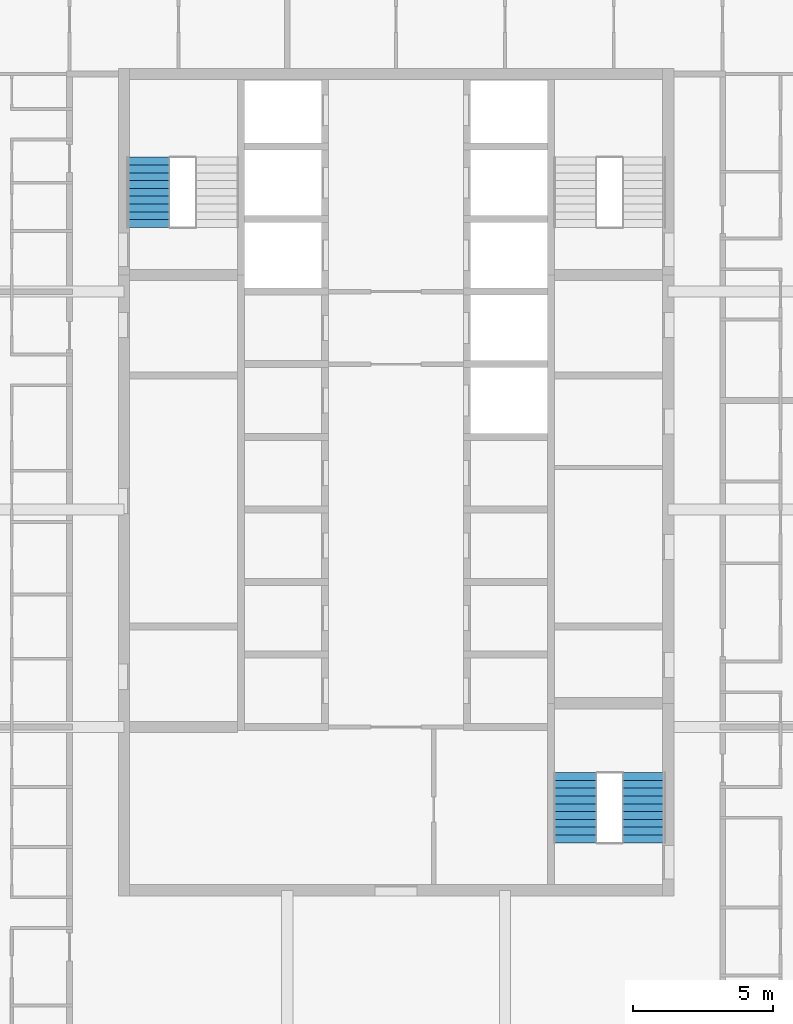
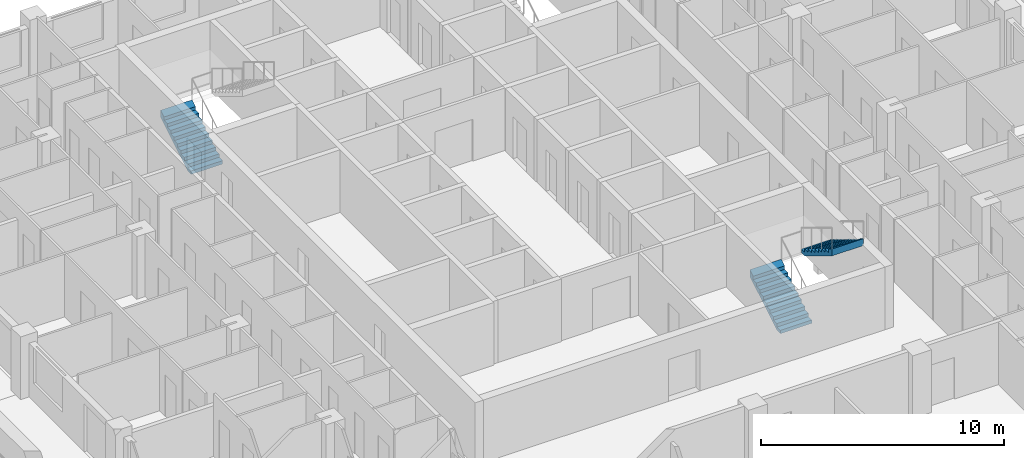
# One storey, part 13 of 16: 3 stair flights, 2 elements without a shape of their own.
"""IFC4 building model written with IfcOpenShell, lengths in metres."""

from ifc_helpers import new_model, si_unit, direction, frame, origin, place, context, subcontext, project, spatial, triangles, material, type_object, element, aggregate, save


model = new_model("IFC4")

# Units and contexts
model_context = context("Model", 3, precision=1e-05, world=origin(), true_north=direction((0.0, 1.0)))
body_context = subcontext(model_context, "Body", "Model", "MODEL_VIEW")
ifc_project = project(units=[si_unit("LENGTHUNIT", "METRE"), si_unit("AREAUNIT", "SQUARE_METRE"), si_unit("VOLUMEUNIT", "CUBIC_METRE"), si_unit("PLANEANGLEUNIT", "RADIAN"), si_unit("MASSUNIT", "GRAM", prefix="KILO")], contexts=[model_context])

# Site, building, storey
site_placement = place(None, origin())
site = spatial("IfcSite", under=ifc_project, at=site_placement, CompositionType="ELEMENT")
building_placement = place(site_placement, origin())
building = spatial("IfcBuilding", under=site, at=building_placement, Name="Ludao Terraces", CompositionType="ELEMENT")
storey_placement = place(building_placement, frame((0.0, 0.0, 207.5)))
storey = spatial("IfcBuildingStorey", under=building, at=storey_placement, Name="L56", CompositionType="ELEMENT", Elevation=207.5)

# Stair, stair flight
ifc_material = material(Name="Concrete C40", Category="concrete")
stair_type = type_object("IfcStairType", Name="INT Stair", PredefinedType="HALF_TURN_STAIR", material=ifc_material)
stair_1_placement = place(storey_placement, origin())
stair_1 = element("IfcStair", 1, at=stair_1_placement, inside=storey, type_object=stair_type, Name="EXIT STAIR 1", PredefinedType="HALF_TURN_STAIR")
stair_flight_type = type_object("IfcStairFlightType", Name="INT Stair flight", PredefinedType="STRAIGHT", material=ifc_material)
stair_flight_1_placement = place(storey_placement, frame((76.125, 79.0, 0.0), z_axis=(0.0, 0.0, 1.0), x_axis=(0.0, 1.0, 0.0)))
stair_flight_1 = element("IfcStairFlight", 2, at=stair_flight_1_placement, type_object=stair_flight_type, Name="ST1 flight 1", NumberOfRisers=10, NumberOfTreads=9, PredefinedType="STRAIGHT", RiserHeight=0.17, TreadLength=0.28, context=body_context, shape_type="Tessellation", body=[
    triangles([(0.0, -0.75, 0.0), (0.0, -0.5, 0.0), (0.0, -0.25, 0.0), (0.0, 0.0, 0.0), (0.0, 0.25, 0.0), (0.0, 0.5, 0.0), (0.0, 0.75, 0.0), (0.0, -0.75, 0.169921875), (0.0, -0.5, 0.169921875), (0.0, -0.25, 0.169921875), (0.0, 0.0, 0.169921875), (0.0, 0.25, 0.169921875), (0.0, 0.5, 0.169921875), (0.0, 0.75, 0.169921875), (0.280029296875, -0.75, 0.169921875), (0.280029296875, -0.5, 0.169921875), (0.280029296875, -0.25, 0.169921875), (0.280029296875, 0.0, 0.169921875), (0.280029296875, 0.25, 0.169921875), (0.280029296875, 0.5, 0.169921875), (0.280029296875, 0.75, 0.169921875), (0.280029296875, -0.75, 0.340087890625), (0.280029296875, -0.5, 0.340087890625), (0.280029296875, -0.25, 0.340087890625), (0.280029296875, 0.0, 0.340087890625), (0.280029296875, 0.25, 0.340087890625), (0.280029296875, 0.5, 0.340087890625), (0.280029296875, 0.75, 0.340087890625), (0.56005859375, -0.75, 0.340087890625), (0.56005859375, -0.5, 0.340087890625), (0.56005859375, -0.25, 0.340087890625), (0.56005859375, 0.0, 0.340087890625), (0.56005859375, 0.25, 0.340087890625), (0.56005859375, 0.5, 0.340087890625), (0.56005859375, 0.75, 0.340087890625), (0.56005859375, -0.75, 0.510009765625), (0.56005859375, -0.5, 0.510009765625), (0.56005859375, -0.25, 0.510009765625), (0.56005859375, 0.0, 0.510009765625), (0.56005859375, 0.25, 0.510009765625), (0.56005859375, 0.5, 0.510009765625), (0.56005859375, 0.75, 0.510009765625), (0.840087890625, -0.75, 0.510009765625), (0.840087890625, -0.5, 0.510009765625), (0.840087890625, -0.25, 0.510009765625), (0.840087890625, 0.0, 0.510009765625), (0.840087890625, 0.25, 0.510009765625), (0.840087890625, 0.5, 0.510009765625), (0.840087890625, 0.75, 0.510009765625), (0.840087890625, -0.75, 0.679931640625), (0.840087890625, -0.5, 0.679931640625), (0.840087890625, -0.25, 0.679931640625), (0.840087890625, 0.0, 0.679931640625), (0.840087890625, 0.25, 0.679931640625), (0.840087890625, 0.5, 0.679931640625), (0.840087890625, 0.75, 0.679931640625), (1.1201171875, -0.75, 0.679931640625), (1.1201171875, -0.5, 0.679931640625), (1.1201171875, -0.25, 0.679931640625), (1.1201171875, 0.0, 0.679931640625), (1.1201171875, 0.25, 0.679931640625), (1.1201171875, 0.5, 0.679931640625), (1.1201171875, 0.75, 0.679931640625), (1.1201171875, -0.75, 0.85009765625), (1.1201171875, -0.5, 0.85009765625), (1.1201171875, -0.25, 0.85009765625), (1.1201171875, 0.0, 0.85009765625), (1.1201171875, 0.25, 0.85009765625), (1.1201171875, 0.5, 0.85009765625), (1.1201171875, 0.75, 0.85009765625), (1.39990234375, -0.75, 0.85009765625), (1.39990234375, -0.5, 0.85009765625), (1.39990234375, -0.25, 0.85009765625), (1.39990234375, 0.0, 0.85009765625), (1.39990234375, 0.25, 0.85009765625), (1.39990234375, 0.5, 0.85009765625), (1.39990234375, 0.75, 0.85009765625), (1.39990234375, -0.75, 1.02001953125), (1.39990234375, -0.5, 1.02001953125), (1.39990234375, -0.25, 1.02001953125), (1.39990234375, 0.0, 1.02001953125), (1.39990234375, 0.25, 1.02001953125), (1.39990234375, 0.5, 1.02001953125), (1.39990234375, 0.75, 1.02001953125), (1.679931640625, -0.75, 1.02001953125), (1.679931640625, -0.5, 1.02001953125), (1.679931640625, -0.25, 1.02001953125), (1.679931640625, 0.0, 1.02001953125), (1.679931640625, 0.25, 1.02001953125), (1.679931640625, 0.5, 1.02001953125), (1.679931640625, 0.75, 1.02001953125), (1.679931640625, -0.75, 1.18994140625), (1.679931640625, -0.5, 1.18994140625), (1.679931640625, -0.25, 1.18994140625), (1.679931640625, 0.0, 1.18994140625), (1.679931640625, 0.25, 1.18994140625), (1.679931640625, 0.5, 1.18994140625), (1.679931640625, 0.75, 1.18994140625), (1.9599609375, -0.75, 1.18994140625), (1.9599609375, -0.5, 1.18994140625), (1.9599609375, -0.25, 1.18994140625), (1.9599609375, 0.0, 1.18994140625), (1.9599609375, 0.25, 1.18994140625), (1.9599609375, 0.5, 1.18994140625), (1.9599609375, 0.75, 1.18994140625), (1.9599609375, -0.75, 1.360107421875), (1.9599609375, -0.5, 1.360107421875), (1.9599609375, -0.25, 1.360107421875), (1.9599609375, 0.0, 1.360107421875), (1.9599609375, 0.25, 1.360107421875), (1.9599609375, 0.5, 1.360107421875), (1.9599609375, 0.75, 1.360107421875), (2.239990234375, -0.75, 1.360107421875), (2.239990234375, -0.5, 1.360107421875), (2.239990234375, -0.25, 1.360107421875), (2.239990234375, 0.0, 1.360107421875), (2.239990234375, 0.25, 1.360107421875), (2.239990234375, 0.5, 1.360107421875), (2.239990234375, 0.75, 1.360107421875), (2.239990234375, -0.75, 1.530029296875), (2.239990234375, -0.5, 1.530029296875), (2.239990234375, -0.25, 1.530029296875), (2.239990234375, 0.0, 1.530029296875), (2.239990234375, 0.25, 1.530029296875), (2.239990234375, 0.5, 1.530029296875), (2.239990234375, 0.75, 1.530029296875), (2.52001953125, -0.75, 1.699951171875), (2.52001953125, -0.5, 1.699951171875), (2.52001953125, -0.25, 1.699951171875), (2.52001953125, 0.0, 1.699951171875), (2.52001953125, 0.25, 1.699951171875), (2.52001953125, 0.5, 1.699951171875), (2.52001953125, 0.75, 1.699951171875), (2.52001953125, -0.75, 1.354736328125), (2.52001953125, -0.5, 1.354736328125), (2.52001953125, -0.25, 1.354736328125), (2.52001953125, 0.0, 1.354736328125), (2.52001953125, 0.25, 1.354736328125), (2.52001953125, 0.5, 1.354736328125), (2.52001953125, 0.75, 1.354736328125), (0.288818359375, -0.75, 0.0), (0.288818359375, -0.5, 0.0), (0.288818359375, -0.25, 0.0), (0.288818359375, 0.0, 0.0), (0.288818359375, 0.25, 0.0), (0.288818359375, 0.5, 0.0), (0.288818359375, 0.75, 0.0)], [[1, 141, 134], [7, 140, 147], [134, 127, 120], [140, 126, 133], [134, 120, 113], [140, 119, 126], [134, 113, 106], [140, 112, 119], [134, 106, 99], [140, 105, 112], [99, 92, 85], [105, 91, 98], [134, 99, 85], [140, 91, 105], [85, 78, 71], [91, 77, 84], [134, 85, 71], [140, 77, 91], [71, 64, 57], [77, 63, 70], [134, 71, 57], [140, 63, 77], [57, 50, 43], [63, 49, 56], [134, 57, 43], [140, 49, 63], [43, 36, 29], [49, 35, 42], [134, 43, 29], [140, 35, 49], [29, 22, 15], [35, 21, 28], [134, 29, 15], [140, 21, 35], [1, 134, 15], [7, 21, 140], [15, 8, 1], [21, 7, 14], [1, 9, 2], [1, 8, 9], [2, 10, 3], [2, 9, 10], [3, 11, 4], [3, 10, 11], [4, 12, 5], [4, 11, 12], [5, 13, 6], [5, 12, 13], [6, 14, 7], [6, 13, 14], [8, 16, 9], [8, 15, 16], [9, 17, 10], [9, 16, 17], [10, 18, 11], [10, 17, 18], [11, 19, 12], [11, 18, 19], [12, 20, 13], [12, 19, 20], [13, 21, 14], [13, 20, 21], [15, 23, 16], [15, 22, 23], [16, 24, 17], [16, 23, 24], [17, 25, 18], [17, 24, 25], [18, 26, 19], [18, 25, 26], [19, 27, 20], [19, 26, 27], [20, 28, 21], [20, 27, 28], [22, 30, 23], [22, 29, 30], [23, 31, 24], [23, 30, 31], [24, 32, 25], [24, 31, 32], [25, 33, 26], [25, 32, 33], [26, 34, 27], [26, 33, 34], [27, 35, 28], [27, 34, 35], [29, 37, 30], [29, 36, 37], [30, 38, 31], [30, 37, 38], [31, 39, 32], [31, 38, 39], [32, 40, 33], [32, 39, 40], [33, 41, 34], [33, 40, 41], [34, 42, 35], [34, 41, 42], [36, 44, 37], [36, 43, 44], [37, 45, 38], [37, 44, 45], [38, 46, 39], [38, 45, 46], [39, 47, 40], [39, 46, 47], [40, 48, 41], [40, 47, 48], [41, 49, 42], [41, 48, 49], [43, 51, 44], [43, 50, 51], [44, 52, 45], [44, 51, 52], [45, 53, 46], [45, 52, 53], [46, 54, 47], [46, 53, 54], [47, 55, 48], [47, 54, 55], [48, 56, 49], [48, 55, 56], [50, 58, 51], [50, 57, 58], [51, 59, 52], [51, 58, 59], [52, 60, 53], [52, 59, 60], [53, 61, 54], [53, 60, 61], [54, 62, 55], [54, 61, 62], [55, 63, 56], [55, 62, 63], [57, 65, 58], [57, 64, 65], [58, 66, 59], [58, 65, 66], [59, 67, 60], [59, 66, 67], [60, 68, 61], [60, 67, 68], [61, 69, 62], [61, 68, 69], [62, 70, 63], [62, 69, 70], [64, 72, 65], [64, 71, 72], [65, 73, 66], [65, 72, 73], [66, 74, 67], [66, 73, 74], [67, 75, 68], [67, 74, 75], [68, 76, 69], [68, 75, 76], [69, 77, 70], [69, 76, 77], [71, 79, 72], [71, 78, 79], [72, 80, 73], [72, 79, 80], [73, 81, 74], [73, 80, 81], [74, 82, 75], [74, 81, 82], [75, 83, 76], [75, 82, 83], [76, 84, 77], [76, 83, 84], [78, 86, 79], [78, 85, 86], [79, 87, 80], [79, 86, 87], [80, 88, 81], [80, 87, 88], [81, 89, 82], [81, 88, 89], [82, 90, 83], [82, 89, 90], [83, 91, 84], [83, 90, 91], [85, 93, 86], [85, 92, 93], [86, 94, 87], [86, 93, 94], [87, 95, 88], [87, 94, 95], [88, 96, 89], [88, 95, 96], [89, 97, 90], [89, 96, 97], [90, 98, 91], [90, 97, 98], [92, 100, 93], [92, 99, 100], [93, 101, 94], [93, 100, 101], [94, 102, 95], [94, 101, 102], [95, 103, 96], [95, 102, 103], [96, 104, 97], [96, 103, 104], [97, 105, 98], [97, 104, 105], [99, 107, 100], [99, 106, 107], [100, 108, 101], [100, 107, 108], [101, 109, 102], [101, 108, 109], [102, 110, 103], [102, 109, 110], [103, 111, 104], [103, 110, 111], [104, 112, 105], [104, 111, 112], [106, 114, 107], [106, 113, 114], [107, 115, 108], [107, 114, 115], [108, 116, 109], [108, 115, 116], [109, 117, 110], [109, 116, 117], [110, 118, 111], [110, 117, 118], [111, 119, 112], [111, 118, 119], [113, 121, 114], [113, 120, 121], [114, 122, 115], [114, 121, 122], [115, 123, 116], [115, 122, 123], [116, 124, 117], [116, 123, 124], [117, 125, 118], [117, 124, 125], [118, 126, 119], [118, 125, 126], [120, 128, 121], [120, 127, 128], [121, 129, 122], [121, 128, 129], [122, 130, 123], [122, 129, 130], [123, 131, 124], [123, 130, 131], [124, 132, 125], [124, 131, 132], [125, 133, 126], [125, 132, 133], [127, 135, 128], [127, 134, 135], [128, 136, 129], [128, 135, 136], [129, 137, 130], [129, 136, 137], [130, 138, 131], [130, 137, 138], [131, 139, 132], [131, 138, 139], [132, 140, 133], [132, 139, 140], [134, 142, 135], [134, 141, 142], [135, 143, 136], [135, 142, 143], [136, 144, 137], [136, 143, 144], [137, 145, 138], [137, 144, 145], [138, 146, 139], [138, 145, 146], [139, 147, 140], [139, 146, 147], [141, 2, 142], [141, 1, 2], [142, 3, 143], [142, 2, 3], [143, 4, 144], [143, 3, 4], [144, 5, 145], [144, 4, 5], [145, 6, 146], [145, 5, 6], [146, 7, 147], [146, 6, 7]], closed=True),
])
aggregate(stair_1, [stair_flight_1])

# Stair, stair flights
stair_2_placement = place(storey_placement, origin())
stair_2 = element("IfcStair", 3, at=stair_2_placement, inside=storey, type_object=stair_type, Name="EXIT STAIR 3", PredefinedType="HALF_TURN_STAIR")
stair_flight_2_placement = place(storey_placement, frame((91.425048828125, 56.949951171875, 0.0), z_axis=(0.0, 0.0, 1.0), x_axis=(0.0, 1.0, 0.0)))
stair_flight_2 = element("IfcStairFlight", 4, at=stair_flight_2_placement, type_object=stair_flight_type, Name="ST3 flight 1", NumberOfRisers=10, NumberOfTreads=9, PredefinedType="STRAIGHT", RiserHeight=0.17, TreadLength=0.28, context=body_context, shape_type="Tessellation", body=[
    triangles([(0.0, -0.75, 0.0), (0.0, -0.5, 0.0), (0.0, -0.25, 0.0), (0.0, 0.0, 0.0), (0.0, 0.25, 0.0), (0.0, 0.5, 0.0), (0.0, 0.75, 0.0), (0.0, -0.75, 0.169921875), (0.0, -0.5, 0.169921875), (0.0, -0.25, 0.169921875), (0.0, 0.0, 0.169921875), (0.0, 0.25, 0.169921875), (0.0, 0.5, 0.169921875), (0.0, 0.75, 0.169921875), (0.280029296875, -0.75, 0.169921875), (0.280029296875, -0.5, 0.169921875), (0.280029296875, -0.25, 0.169921875), (0.280029296875, 0.0, 0.169921875), (0.280029296875, 0.25, 0.169921875), (0.280029296875, 0.5, 0.169921875), (0.280029296875, 0.75, 0.169921875), (0.280029296875, -0.75, 0.340087890625), (0.280029296875, -0.5, 0.340087890625), (0.280029296875, -0.25, 0.340087890625), (0.280029296875, 0.0, 0.340087890625), (0.280029296875, 0.25, 0.340087890625), (0.280029296875, 0.5, 0.340087890625), (0.280029296875, 0.75, 0.340087890625), (0.56005859375, -0.75, 0.340087890625), (0.56005859375, -0.5, 0.340087890625), (0.56005859375, -0.25, 0.340087890625), (0.56005859375, 0.0, 0.340087890625), (0.56005859375, 0.25, 0.340087890625), (0.56005859375, 0.5, 0.340087890625), (0.56005859375, 0.75, 0.340087890625), (0.56005859375, -0.75, 0.510009765625), (0.56005859375, -0.5, 0.510009765625), (0.56005859375, -0.25, 0.510009765625), (0.56005859375, 0.0, 0.510009765625), (0.56005859375, 0.25, 0.510009765625), (0.56005859375, 0.5, 0.510009765625), (0.56005859375, 0.75, 0.510009765625), (0.840087890625, -0.75, 0.510009765625), (0.840087890625, -0.5, 0.510009765625), (0.840087890625, -0.25, 0.510009765625), (0.840087890625, 0.0, 0.510009765625), (0.840087890625, 0.25, 0.510009765625), (0.840087890625, 0.5, 0.510009765625), (0.840087890625, 0.75, 0.510009765625), (0.840087890625, -0.75, 0.679931640625), (0.840087890625, -0.5, 0.679931640625), (0.840087890625, -0.25, 0.679931640625), (0.840087890625, 0.0, 0.679931640625), (0.840087890625, 0.25, 0.679931640625), (0.840087890625, 0.5, 0.679931640625), (0.840087890625, 0.75, 0.679931640625), (1.1201171875, -0.75, 0.679931640625), (1.1201171875, -0.5, 0.679931640625), (1.1201171875, -0.25, 0.679931640625), (1.1201171875, 0.0, 0.679931640625), (1.1201171875, 0.25, 0.679931640625), (1.1201171875, 0.5, 0.679931640625), (1.1201171875, 0.75, 0.679931640625), (1.1201171875, -0.75, 0.85009765625), (1.1201171875, -0.5, 0.85009765625), (1.1201171875, -0.25, 0.85009765625), (1.1201171875, 0.0, 0.85009765625), (1.1201171875, 0.25, 0.85009765625), (1.1201171875, 0.5, 0.85009765625), (1.1201171875, 0.75, 0.85009765625), (1.39990234375, -0.75, 0.85009765625), (1.39990234375, -0.5, 0.85009765625), (1.39990234375, -0.25, 0.85009765625), (1.39990234375, 0.0, 0.85009765625), (1.39990234375, 0.25, 0.85009765625), (1.39990234375, 0.5, 0.85009765625), (1.39990234375, 0.75, 0.85009765625), (1.39990234375, -0.75, 1.02001953125), (1.39990234375, -0.5, 1.02001953125), (1.39990234375, -0.25, 1.02001953125), (1.39990234375, 0.0, 1.02001953125), (1.39990234375, 0.25, 1.02001953125), (1.39990234375, 0.5, 1.02001953125), (1.39990234375, 0.75, 1.02001953125), (1.679931640625, -0.75, 1.02001953125), (1.679931640625, -0.5, 1.02001953125), (1.679931640625, -0.25, 1.02001953125), (1.679931640625, 0.0, 1.02001953125), (1.679931640625, 0.25, 1.02001953125), (1.679931640625, 0.5, 1.02001953125), (1.679931640625, 0.75, 1.02001953125), (1.679931640625, -0.75, 1.18994140625), (1.679931640625, -0.5, 1.18994140625), (1.679931640625, -0.25, 1.18994140625), (1.679931640625, 0.0, 1.18994140625), (1.679931640625, 0.25, 1.18994140625), (1.679931640625, 0.5, 1.18994140625), (1.679931640625, 0.75, 1.18994140625), (1.9599609375, -0.75, 1.18994140625), (1.9599609375, -0.5, 1.18994140625), (1.9599609375, -0.25, 1.18994140625), (1.9599609375, 0.0, 1.18994140625), (1.9599609375, 0.25, 1.18994140625), (1.9599609375, 0.5, 1.18994140625), (1.9599609375, 0.75, 1.18994140625), (1.9599609375, -0.75, 1.360107421875), (1.9599609375, -0.5, 1.360107421875), (1.9599609375, -0.25, 1.360107421875), (1.9599609375, 0.0, 1.360107421875), (1.9599609375, 0.25, 1.360107421875), (1.9599609375, 0.5, 1.360107421875), (1.9599609375, 0.75, 1.360107421875), (2.239990234375, -0.75, 1.360107421875), (2.239990234375, -0.5, 1.360107421875), (2.239990234375, -0.25, 1.360107421875), (2.239990234375, 0.0, 1.360107421875), (2.239990234375, 0.25, 1.360107421875), (2.239990234375, 0.5, 1.360107421875), (2.239990234375, 0.75, 1.360107421875), (2.239990234375, -0.75, 1.530029296875), (2.239990234375, -0.5, 1.530029296875), (2.239990234375, -0.25, 1.530029296875), (2.239990234375, 0.0, 1.530029296875), (2.239990234375, 0.25, 1.530029296875), (2.239990234375, 0.5, 1.530029296875), (2.239990234375, 0.75, 1.530029296875), (2.52001953125, -0.75, 1.699951171875), (2.52001953125, -0.5, 1.699951171875), (2.52001953125, -0.25, 1.699951171875), (2.52001953125, 0.0, 1.699951171875), (2.52001953125, 0.25, 1.699951171875), (2.52001953125, 0.5, 1.699951171875), (2.52001953125, 0.75, 1.699951171875), (2.52001953125, -0.75, 1.354736328125), (2.52001953125, -0.5, 1.354736328125), (2.52001953125, -0.25, 1.354736328125), (2.52001953125, 0.0, 1.354736328125), (2.52001953125, 0.25, 1.354736328125), (2.52001953125, 0.5, 1.354736328125), (2.52001953125, 0.75, 1.354736328125), (0.288818359375, -0.75, 0.0), (0.288818359375, -0.5, 0.0), (0.288818359375, -0.25, 0.0), (0.288818359375, 0.0, 0.0), (0.288818359375, 0.25, 0.0), (0.288818359375, 0.5, 0.0), (0.288818359375, 0.75, 0.0)], [[1, 141, 134], [7, 140, 147], [134, 127, 120], [140, 126, 133], [134, 120, 113], [140, 119, 126], [134, 113, 106], [140, 112, 119], [134, 106, 99], [140, 105, 112], [99, 92, 85], [105, 91, 98], [134, 99, 85], [140, 91, 105], [85, 78, 71], [91, 77, 84], [134, 85, 71], [140, 77, 91], [71, 64, 57], [77, 63, 70], [134, 71, 57], [140, 63, 77], [57, 50, 43], [63, 49, 56], [134, 57, 43], [140, 49, 63], [43, 36, 29], [49, 35, 42], [134, 43, 29], [140, 35, 49], [29, 22, 15], [35, 21, 28], [134, 29, 15], [140, 21, 35], [1, 134, 15], [7, 21, 140], [15, 8, 1], [21, 7, 14], [1, 9, 2], [1, 8, 9], [2, 10, 3], [2, 9, 10], [3, 11, 4], [3, 10, 11], [4, 12, 5], [4, 11, 12], [5, 13, 6], [5, 12, 13], [6, 14, 7], [6, 13, 14], [8, 16, 9], [8, 15, 16], [9, 17, 10], [9, 16, 17], [10, 18, 11], [10, 17, 18], [11, 19, 12], [11, 18, 19], [12, 20, 13], [12, 19, 20], [13, 21, 14], [13, 20, 21], [15, 23, 16], [15, 22, 23], [16, 24, 17], [16, 23, 24], [17, 25, 18], [17, 24, 25], [18, 26, 19], [18, 25, 26], [19, 27, 20], [19, 26, 27], [20, 28, 21], [20, 27, 28], [22, 30, 23], [22, 29, 30], [23, 31, 24], [23, 30, 31], [24, 32, 25], [24, 31, 32], [25, 33, 26], [25, 32, 33], [26, 34, 27], [26, 33, 34], [27, 35, 28], [27, 34, 35], [29, 37, 30], [29, 36, 37], [30, 38, 31], [30, 37, 38], [31, 39, 32], [31, 38, 39], [32, 40, 33], [32, 39, 40], [33, 41, 34], [33, 40, 41], [34, 42, 35], [34, 41, 42], [36, 44, 37], [36, 43, 44], [37, 45, 38], [37, 44, 45], [38, 46, 39], [38, 45, 46], [39, 47, 40], [39, 46, 47], [40, 48, 41], [40, 47, 48], [41, 49, 42], [41, 48, 49], [43, 51, 44], [43, 50, 51], [44, 52, 45], [44, 51, 52], [45, 53, 46], [45, 52, 53], [46, 54, 47], [46, 53, 54], [47, 55, 48], [47, 54, 55], [48, 56, 49], [48, 55, 56], [50, 58, 51], [50, 57, 58], [51, 59, 52], [51, 58, 59], [52, 60, 53], [52, 59, 60], [53, 61, 54], [53, 60, 61], [54, 62, 55], [54, 61, 62], [55, 63, 56], [55, 62, 63], [57, 65, 58], [57, 64, 65], [58, 66, 59], [58, 65, 66], [59, 67, 60], [59, 66, 67], [60, 68, 61], [60, 67, 68], [61, 69, 62], [61, 68, 69], [62, 70, 63], [62, 69, 70], [64, 72, 65], [64, 71, 72], [65, 73, 66], [65, 72, 73], [66, 74, 67], [66, 73, 74], [67, 75, 68], [67, 74, 75], [68, 76, 69], [68, 75, 76], [69, 77, 70], [69, 76, 77], [71, 79, 72], [71, 78, 79], [72, 80, 73], [72, 79, 80], [73, 81, 74], [73, 80, 81], [74, 82, 75], [74, 81, 82], [75, 83, 76], [75, 82, 83], [76, 84, 77], [76, 83, 84], [78, 86, 79], [78, 85, 86], [79, 87, 80], [79, 86, 87], [80, 88, 81], [80, 87, 88], [81, 89, 82], [81, 88, 89], [82, 90, 83], [82, 89, 90], [83, 91, 84], [83, 90, 91], [85, 93, 86], [85, 92, 93], [86, 94, 87], [86, 93, 94], [87, 95, 88], [87, 94, 95], [88, 96, 89], [88, 95, 96], [89, 97, 90], [89, 96, 97], [90, 98, 91], [90, 97, 98], [92, 100, 93], [92, 99, 100], [93, 101, 94], [93, 100, 101], [94, 102, 95], [94, 101, 102], [95, 103, 96], [95, 102, 103], [96, 104, 97], [96, 103, 104], [97, 105, 98], [97, 104, 105], [99, 107, 100], [99, 106, 107], [100, 108, 101], [100, 107, 108], [101, 109, 102], [101, 108, 109], [102, 110, 103], [102, 109, 110], [103, 111, 104], [103, 110, 111], [104, 112, 105], [104, 111, 112], [106, 114, 107], [106, 113, 114], [107, 115, 108], [107, 114, 115], [108, 116, 109], [108, 115, 116], [109, 117, 110], [109, 116, 117], [110, 118, 111], [110, 117, 118], [111, 119, 112], [111, 118, 119], [113, 121, 114], [113, 120, 121], [114, 122, 115], [114, 121, 122], [115, 123, 116], [115, 122, 123], [116, 124, 117], [116, 123, 124], [117, 125, 118], [117, 124, 125], [118, 126, 119], [118, 125, 126], [120, 128, 121], [120, 127, 128], [121, 129, 122], [121, 128, 129], [122, 130, 123], [122, 129, 130], [123, 131, 124], [123, 130, 131], [124, 132, 125], [124, 131, 132], [125, 133, 126], [125, 132, 133], [127, 135, 128], [127, 134, 135], [128, 136, 129], [128, 135, 136], [129, 137, 130], [129, 136, 137], [130, 138, 131], [130, 137, 138], [131, 139, 132], [131, 138, 139], [132, 140, 133], [132, 139, 140], [134, 142, 135], [134, 141, 142], [135, 143, 136], [135, 142, 143], [136, 144, 137], [136, 143, 144], [137, 145, 138], [137, 144, 145], [138, 146, 139], [138, 145, 146], [139, 147, 140], [139, 146, 147], [141, 2, 142], [141, 1, 2], [142, 3, 143], [142, 2, 3], [143, 4, 144], [143, 3, 4], [144, 5, 145], [144, 4, 5], [145, 6, 146], [145, 5, 6], [146, 7, 147], [146, 6, 7]], closed=True),
])
stair_flight_3_placement = place(storey_placement, frame((93.875, 59.469970703125, 1.699951171875), z_axis=(0.0, 0.0, 1.0), x_axis=(0.0, -1.0, 0.0)))
stair_flight_3 = element("IfcStairFlight", 5, at=stair_flight_3_placement, type_object=stair_flight_type, Name="ST3 flight 2", NumberOfRisers=10, NumberOfTreads=9, PredefinedType="STRAIGHT", RiserHeight=0.17, TreadLength=0.28, context=body_context, shape_type="Tessellation", body=[
    triangles([(0.0, -0.75, 0.0), (0.0, -0.5, 0.0), (0.0, -0.25, 0.0), (0.0, 0.0, 0.0), (0.0, 0.25, 0.0), (0.0, 0.5, 0.0), (0.0, 0.75, 0.0), (0.0, -0.75, 0.169921875), (0.0, -0.5, 0.169921875), (0.0, -0.25, 0.169921875), (0.0, 0.0, 0.169921875), (0.0, 0.25, 0.169921875), (0.0, 0.5, 0.169921875), (0.0, 0.75, 0.169921875), (0.280029296875, -0.75, 0.169921875), (0.280029296875, -0.5, 0.169921875), (0.280029296875, -0.25, 0.169921875), (0.280029296875, 0.0, 0.169921875), (0.280029296875, 0.25, 0.169921875), (0.280029296875, 0.5, 0.169921875), (0.280029296875, 0.75, 0.169921875), (0.280029296875, -0.75, 0.340087890625), (0.280029296875, -0.5, 0.340087890625), (0.280029296875, -0.25, 0.340087890625), (0.280029296875, 0.0, 0.340087890625), (0.280029296875, 0.25, 0.340087890625), (0.280029296875, 0.5, 0.340087890625), (0.280029296875, 0.75, 0.340087890625), (0.56005859375, -0.75, 0.340087890625), (0.56005859375, -0.5, 0.340087890625), (0.56005859375, -0.25, 0.340087890625), (0.56005859375, 0.0, 0.340087890625), (0.56005859375, 0.25, 0.340087890625), (0.56005859375, 0.5, 0.340087890625), (0.56005859375, 0.75, 0.340087890625), (0.56005859375, -0.75, 0.510009765625), (0.56005859375, -0.5, 0.510009765625), (0.56005859375, -0.25, 0.510009765625), (0.56005859375, 0.0, 0.510009765625), (0.56005859375, 0.25, 0.510009765625), (0.56005859375, 0.5, 0.510009765625), (0.56005859375, 0.75, 0.510009765625), (0.840087890625, -0.75, 0.510009765625), (0.840087890625, -0.5, 0.510009765625), (0.840087890625, -0.25, 0.510009765625), (0.840087890625, 0.0, 0.510009765625), (0.840087890625, 0.25, 0.510009765625), (0.840087890625, 0.5, 0.510009765625), (0.840087890625, 0.75, 0.510009765625), (0.840087890625, -0.75, 0.679931640625), (0.840087890625, -0.5, 0.679931640625), (0.840087890625, -0.25, 0.679931640625), (0.840087890625, 0.0, 0.679931640625), (0.840087890625, 0.25, 0.679931640625), (0.840087890625, 0.5, 0.679931640625), (0.840087890625, 0.75, 0.679931640625), (1.1201171875, -0.75, 0.679931640625), (1.1201171875, -0.5, 0.679931640625), (1.1201171875, -0.25, 0.679931640625), (1.1201171875, 0.0, 0.679931640625), (1.1201171875, 0.25, 0.679931640625), (1.1201171875, 0.5, 0.679931640625), (1.1201171875, 0.75, 0.679931640625), (1.1201171875, -0.75, 0.85009765625), (1.1201171875, -0.5, 0.85009765625), (1.1201171875, -0.25, 0.85009765625), (1.1201171875, 0.0, 0.85009765625), (1.1201171875, 0.25, 0.85009765625), (1.1201171875, 0.5, 0.85009765625), (1.1201171875, 0.75, 0.85009765625), (1.39990234375, -0.75, 0.85009765625), (1.39990234375, -0.5, 0.85009765625), (1.39990234375, -0.25, 0.85009765625), (1.39990234375, 0.0, 0.85009765625), (1.39990234375, 0.25, 0.85009765625), (1.39990234375, 0.5, 0.85009765625), (1.39990234375, 0.75, 0.85009765625), (1.39990234375, -0.75, 1.02001953125), (1.39990234375, -0.5, 1.02001953125), (1.39990234375, -0.25, 1.02001953125), (1.39990234375, 0.0, 1.02001953125), (1.39990234375, 0.25, 1.02001953125), (1.39990234375, 0.5, 1.02001953125), (1.39990234375, 0.75, 1.02001953125), (1.679931640625, -0.75, 1.02001953125), (1.679931640625, -0.5, 1.02001953125), (1.679931640625, -0.25, 1.02001953125), (1.679931640625, 0.0, 1.02001953125), (1.679931640625, 0.25, 1.02001953125), (1.679931640625, 0.5, 1.02001953125), (1.679931640625, 0.75, 1.02001953125), (1.679931640625, -0.75, 1.18994140625), (1.679931640625, -0.5, 1.18994140625), (1.679931640625, -0.25, 1.18994140625), (1.679931640625, 0.0, 1.18994140625), (1.679931640625, 0.25, 1.18994140625), (1.679931640625, 0.5, 1.18994140625), (1.679931640625, 0.75, 1.18994140625), (1.9599609375, -0.75, 1.18994140625), (1.9599609375, -0.5, 1.18994140625), (1.9599609375, -0.25, 1.18994140625), (1.9599609375, 0.0, 1.18994140625), (1.9599609375, 0.25, 1.18994140625), (1.9599609375, 0.5, 1.18994140625), (1.9599609375, 0.75, 1.18994140625), (1.9599609375, -0.75, 1.360107421875), (1.9599609375, -0.5, 1.360107421875), (1.9599609375, -0.25, 1.360107421875), (1.9599609375, 0.0, 1.360107421875), (1.9599609375, 0.25, 1.360107421875), (1.9599609375, 0.5, 1.360107421875), (1.9599609375, 0.75, 1.360107421875), (2.239990234375, -0.75, 1.360107421875), (2.239990234375, -0.5, 1.360107421875), (2.239990234375, -0.25, 1.360107421875), (2.239990234375, 0.0, 1.360107421875), (2.239990234375, 0.25, 1.360107421875), (2.239990234375, 0.5, 1.360107421875), (2.239990234375, 0.75, 1.360107421875), (2.239990234375, -0.75, 1.530029296875), (2.239990234375, -0.5, 1.530029296875), (2.239990234375, -0.25, 1.530029296875), (2.239990234375, 0.0, 1.530029296875), (2.239990234375, 0.25, 1.530029296875), (2.239990234375, 0.5, 1.530029296875), (2.239990234375, 0.75, 1.530029296875), (2.52001953125, -0.75, 1.699951171875), (2.52001953125, -0.5, 1.699951171875), (2.52001953125, -0.25, 1.699951171875), (2.52001953125, 0.0, 1.699951171875), (2.52001953125, 0.25, 1.699951171875), (2.52001953125, 0.5, 1.699951171875), (2.52001953125, 0.75, 1.699951171875), (2.52001953125, -0.75, 1.354736328125), (2.52001953125, -0.5, 1.354736328125), (2.52001953125, -0.25, 1.354736328125), (2.52001953125, 0.0, 1.354736328125), (2.52001953125, 0.25, 1.354736328125), (2.52001953125, 0.5, 1.354736328125), (2.52001953125, 0.75, 1.354736328125), (0.288818359375, -0.75, 0.0), (0.288818359375, -0.5, 0.0), (0.288818359375, -0.25, 0.0), (0.288818359375, 0.0, 0.0), (0.288818359375, 0.25, 0.0), (0.288818359375, 0.5, 0.0), (0.288818359375, 0.75, 0.0)], [[1, 141, 134], [7, 140, 147], [134, 127, 120], [140, 126, 133], [134, 120, 113], [140, 119, 126], [134, 113, 106], [140, 112, 119], [134, 106, 99], [140, 105, 112], [99, 92, 85], [105, 91, 98], [134, 99, 85], [140, 91, 105], [85, 78, 71], [91, 77, 84], [134, 85, 71], [140, 77, 91], [71, 64, 57], [77, 63, 70], [134, 71, 57], [140, 63, 77], [57, 50, 43], [63, 49, 56], [134, 57, 43], [140, 49, 63], [43, 36, 29], [49, 35, 42], [134, 43, 29], [140, 35, 49], [29, 22, 15], [35, 21, 28], [134, 29, 15], [140, 21, 35], [1, 134, 15], [7, 21, 140], [15, 8, 1], [21, 7, 14], [1, 9, 2], [1, 8, 9], [2, 10, 3], [2, 9, 10], [3, 11, 4], [3, 10, 11], [4, 12, 5], [4, 11, 12], [5, 13, 6], [5, 12, 13], [6, 14, 7], [6, 13, 14], [8, 16, 9], [8, 15, 16], [9, 17, 10], [9, 16, 17], [10, 18, 11], [10, 17, 18], [11, 19, 12], [11, 18, 19], [12, 20, 13], [12, 19, 20], [13, 21, 14], [13, 20, 21], [15, 23, 16], [15, 22, 23], [16, 24, 17], [16, 23, 24], [17, 25, 18], [17, 24, 25], [18, 26, 19], [18, 25, 26], [19, 27, 20], [19, 26, 27], [20, 28, 21], [20, 27, 28], [22, 30, 23], [22, 29, 30], [23, 31, 24], [23, 30, 31], [24, 32, 25], [24, 31, 32], [25, 33, 26], [25, 32, 33], [26, 34, 27], [26, 33, 34], [27, 35, 28], [27, 34, 35], [29, 37, 30], [29, 36, 37], [30, 38, 31], [30, 37, 38], [31, 39, 32], [31, 38, 39], [32, 40, 33], [32, 39, 40], [33, 41, 34], [33, 40, 41], [34, 42, 35], [34, 41, 42], [36, 44, 37], [36, 43, 44], [37, 45, 38], [37, 44, 45], [38, 46, 39], [38, 45, 46], [39, 47, 40], [39, 46, 47], [40, 48, 41], [40, 47, 48], [41, 49, 42], [41, 48, 49], [43, 51, 44], [43, 50, 51], [44, 52, 45], [44, 51, 52], [45, 53, 46], [45, 52, 53], [46, 54, 47], [46, 53, 54], [47, 55, 48], [47, 54, 55], [48, 56, 49], [48, 55, 56], [50, 58, 51], [50, 57, 58], [51, 59, 52], [51, 58, 59], [52, 60, 53], [52, 59, 60], [53, 61, 54], [53, 60, 61], [54, 62, 55], [54, 61, 62], [55, 63, 56], [55, 62, 63], [57, 65, 58], [57, 64, 65], [58, 66, 59], [58, 65, 66], [59, 67, 60], [59, 66, 67], [60, 68, 61], [60, 67, 68], [61, 69, 62], [61, 68, 69], [62, 70, 63], [62, 69, 70], [64, 72, 65], [64, 71, 72], [65, 73, 66], [65, 72, 73], [66, 74, 67], [66, 73, 74], [67, 75, 68], [67, 74, 75], [68, 76, 69], [68, 75, 76], [69, 77, 70], [69, 76, 77], [71, 79, 72], [71, 78, 79], [72, 80, 73], [72, 79, 80], [73, 81, 74], [73, 80, 81], [74, 82, 75], [74, 81, 82], [75, 83, 76], [75, 82, 83], [76, 84, 77], [76, 83, 84], [78, 86, 79], [78, 85, 86], [79, 87, 80], [79, 86, 87], [80, 88, 81], [80, 87, 88], [81, 89, 82], [81, 88, 89], [82, 90, 83], [82, 89, 90], [83, 91, 84], [83, 90, 91], [85, 93, 86], [85, 92, 93], [86, 94, 87], [86, 93, 94], [87, 95, 88], [87, 94, 95], [88, 96, 89], [88, 95, 96], [89, 97, 90], [89, 96, 97], [90, 98, 91], [90, 97, 98], [92, 100, 93], [92, 99, 100], [93, 101, 94], [93, 100, 101], [94, 102, 95], [94, 101, 102], [95, 103, 96], [95, 102, 103], [96, 104, 97], [96, 103, 104], [97, 105, 98], [97, 104, 105], [99, 107, 100], [99, 106, 107], [100, 108, 101], [100, 107, 108], [101, 109, 102], [101, 108, 109], [102, 110, 103], [102, 109, 110], [103, 111, 104], [103, 110, 111], [104, 112, 105], [104, 111, 112], [106, 114, 107], [106, 113, 114], [107, 115, 108], [107, 114, 115], [108, 116, 109], [108, 115, 116], [109, 117, 110], [109, 116, 117], [110, 118, 111], [110, 117, 118], [111, 119, 112], [111, 118, 119], [113, 121, 114], [113, 120, 121], [114, 122, 115], [114, 121, 122], [115, 123, 116], [115, 122, 123], [116, 124, 117], [116, 123, 124], [117, 125, 118], [117, 124, 125], [118, 126, 119], [118, 125, 126], [120, 128, 121], [120, 127, 128], [121, 129, 122], [121, 128, 129], [122, 130, 123], [122, 129, 130], [123, 131, 124], [123, 130, 131], [124, 132, 125], [124, 131, 132], [125, 133, 126], [125, 132, 133], [127, 135, 128], [127, 134, 135], [128, 136, 129], [128, 135, 136], [129, 137, 130], [129, 136, 137], [130, 138, 131], [130, 137, 138], [131, 139, 132], [131, 138, 139], [132, 140, 133], [132, 139, 140], [134, 142, 135], [134, 141, 142], [135, 143, 136], [135, 142, 143], [136, 144, 137], [136, 143, 144], [137, 145, 138], [137, 144, 145], [138, 146, 139], [138, 145, 146], [139, 147, 140], [139, 146, 147], [141, 2, 142], [141, 1, 2], [142, 3, 143], [142, 2, 3], [143, 4, 144], [143, 3, 4], [144, 5, 145], [144, 4, 5], [145, 6, 146], [145, 5, 6], [146, 7, 147], [146, 6, 7]], closed=True),
])
aggregate(stair_2, [stair_flight_2, stair_flight_3])

save(model, "model.ifc")
